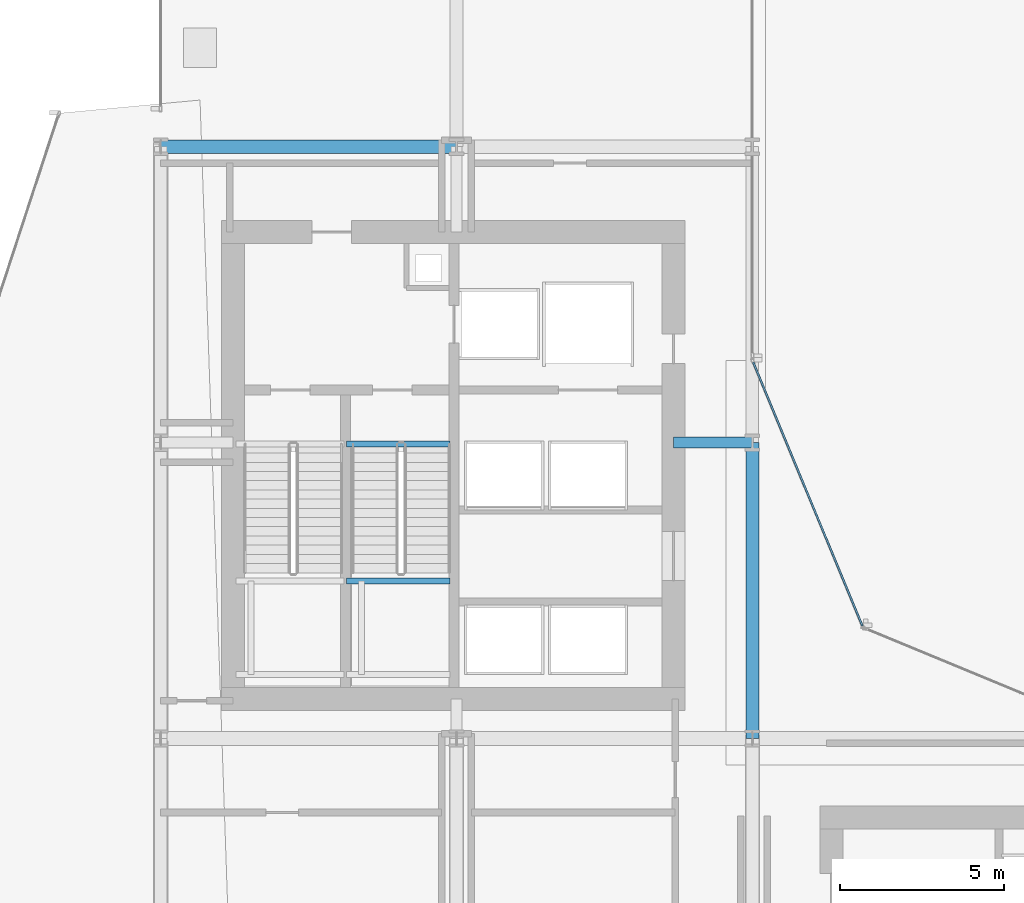
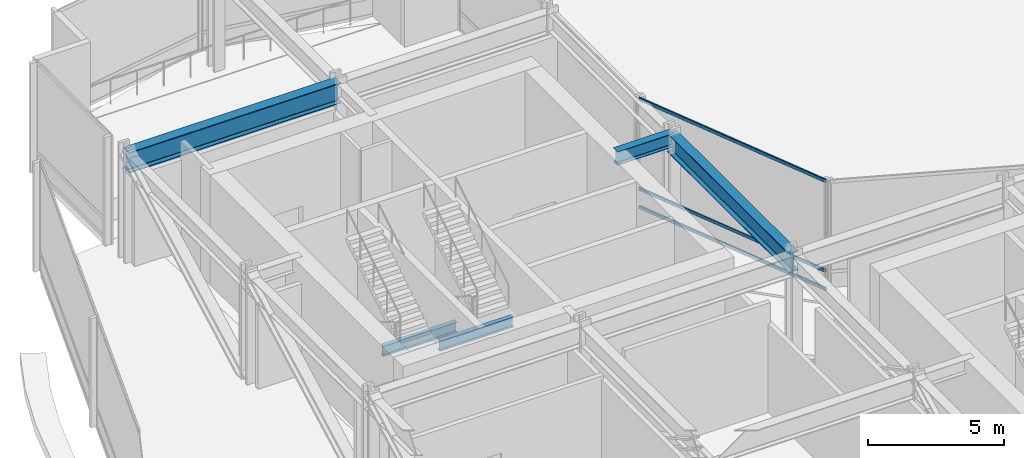
# One storey, part 18 of 37: 5 beams, 3 members, 1 element without a shape of its own.
"""IFC4 building model written with IfcOpenShell, lengths in metres."""

from ifc_helpers import new_model, si_unit, direction, frame, origin, origin_2d, place, context, subcontext, project, spatial, hollow_rectangle, i_section, extrude, material, layer, layer_set, material_profile, profile_set, type_object, element, aggregate, save


model = new_model("IFC4")

# Units and contexts
model_context = context("Model", 3, precision=1e-05, world=origin(), true_north=direction((0.0, 1.0)))
body_context = subcontext(model_context, "Body", "Model", "MODEL_VIEW")
ifc_project = project(units=[si_unit("LENGTHUNIT", "METRE"), si_unit("AREAUNIT", "SQUARE_METRE"), si_unit("VOLUMEUNIT", "CUBIC_METRE"), si_unit("PLANEANGLEUNIT", "RADIAN"), si_unit("MASSUNIT", "GRAM", prefix="KILO")], contexts=[model_context])

# Site, building, storey
site_placement = place(None, origin())
site = spatial("IfcSite", under=ifc_project, at=site_placement, CompositionType="ELEMENT")
building_placement = place(site_placement, origin())
building = spatial("IfcBuilding", under=site, at=building_placement, Name="Solvaryn Broadcast Tower", CompositionType="ELEMENT")
storey_placement = place(building_placement, frame((0.0, 0.0, 30.800048828125)))
storey = spatial("IfcBuildingStorey", under=building, at=storey_placement, Name="L06", CompositionType="ELEMENT", Elevation=30.800048828125)

# Beams
ifc_material_1 = material(Name="Steel ASTM A992 Grade 50", Category="steel")
ifc_material_profile_1 = material_profile(ifc_material_1, i_section(OverallWidth=0.323974609375, OverallDepth=0.611083984375, WebThickness=0.0126953125, FlangeThickness=0.01904296875, FilletRadius=0.014892578125, at=origin_2d()))
ifc_profile_set_1 = profile_set([ifc_material_profile_1], Name="Steel ASTM A992 Grade 50")
beam_type_1 = type_object("IfcBeamType", Name="BM-B1-W24X104", PredefinedType="BEAM", material=ifc_profile_set_1)
beam_1_placement = place(storey_placement, frame((24.60009765625, 36.0, 4.614501953125), z_axis=(1.0, 0.0, 0.0), x_axis=(0.0, 1.0, 0.0)))
element("IfcBeam", 1, at=beam_1_placement, inside=storey, type_object=beam_type_1, Name="L06 Core Tie Beam CTW2", PredefinedType="BEAM", context=body_context, shape_type="SweptSolid", body=[
    extrude(i_section(OverallWidth=0.323974609375, OverallDepth=0.611083984375, WebThickness=0.0126953125, FlangeThickness=0.01904296875, FilletRadius=0.014892578125, at=origin_2d()), origin(), (0.0, 0.0, 1.0), 2.39990234375),
])
ifc_material_2 = material(Name="Steel ASTM A992 Grade 50", Category="steel")
ifc_material_profile_2 = material_profile(ifc_material_2, i_section(OverallWidth=0.18994140625, OverallDepth=0.45703125, WebThickness=0.009033203125, FlangeThickness=0.014404296875, FilletRadius=0.011962890625, at=origin_2d()))
ifc_profile_set_2 = profile_set([ifc_material_profile_2], Name="Steel ASTM A992 Grade 50")
beam_type_2 = type_object("IfcBeamType", Name="BM-B4-W18X50", PredefinedType="BEAM", material=ifc_profile_set_2)
for number, where, z_axis, x_axis, name in (
    (2, (14.659912109375, 35.9599609375, -0.588623046875), (1.0, 0.0, 0.0), (0.0, 1.0, 0.0), "L06 ST2 Stair Well Trimmer Beam"),
    (3, (14.659912109375, 31.7900390625, 2.17138671875), (1.0, 0.0, 0.0), (0.0, 1.0, 0.0), "L06 ST2 Landing Support Beam 1B"),
):
    element("IfcBeam", number, at=place(storey_placement, frame(where, z_axis=z_axis, x_axis=x_axis)), inside=storey, type_object=beam_type_2, Name=name, PredefinedType="BEAM", context=body_context, shape_type="SweptSolid", body=[
        extrude(i_section(OverallWidth=0.18994140625, OverallDepth=0.45703125, WebThickness=0.009033203125, FlangeThickness=0.014404296875, FilletRadius=0.011962890625, at=origin_2d()), origin(), (0.0, 0.0, 1.0), 3.14013671875),
    ])
ifc_material_3 = material(Name="Steel ASTM A992 Grade 50", Category="steel")
ifc_material_profile_3 = material_profile(ifc_material_3, i_section(OverallWidth=0.41796875, OverallDepth=0.927001953125, WebThickness=0.019287109375, FlangeThickness=0.031982421875, FilletRadius=0.02392578125, at=origin_2d()))
ifc_profile_set_3 = profile_set([ifc_material_profile_3], Name="Steel ASTM A992 Grade 50")
beam_type_3 = type_object("IfcBeamType", Name="BM-G2-W36X231", PredefinedType="BEAM", material=ifc_profile_set_3)
beam_2_placement = place(storey_placement, frame((9.0, 45.0, 4.45654296875), z_axis=(1.0, 0.0, 0.0), x_axis=(0.0, 1.0, 0.0)))
element("IfcBeam", 4, at=beam_2_placement, inside=storey, type_object=beam_type_3, Name="L06 Primary Beam X (9-18 @ Y=45)", PredefinedType="BEAM", context=body_context, shape_type="SweptSolid", body=[
    extrude(i_section(OverallWidth=0.41796875, OverallDepth=0.927001953125, WebThickness=0.019287109375, FlangeThickness=0.031982421875, FilletRadius=0.02392578125, at=origin_2d()), origin(), (0.0, 0.0, 1.0), 9.0),
])
ifc_material_4 = material(Name="Steel ASTM A992 Grade 50", Category="steel")
ifc_material_profile_4 = material_profile(ifc_material_4, i_section(OverallWidth=0.39990234375, OverallDepth=0.85498046875, WebThickness=0.018310546875, FlangeThickness=0.029296875, FilletRadius=0.02001953125, at=origin_2d()))
ifc_profile_set_4 = profile_set([ifc_material_profile_4], Name="Steel ASTM A992 Grade 50")
beam_type_4 = type_object("IfcBeamType", Name="BM-G3-W33X201", PredefinedType="BEAM", material=ifc_profile_set_4)
beam_3_placement = place(storey_placement, frame((27.0, 27.0, 4.492431640625), z_axis=(0.0, 1.0, 0.0), x_axis=(-1.0, 0.0, 0.0)))
element("IfcBeam", 5, at=beam_3_placement, inside=storey, type_object=beam_type_4, Name="L06 Primary Beam Y (27-36 @ X=27)", PredefinedType="BEAM", context=body_context, shape_type="SweptSolid", body=[
    extrude(i_section(OverallWidth=0.39990234375, OverallDepth=0.85498046875, WebThickness=0.018310546875, FlangeThickness=0.029296875, FilletRadius=0.02001953125, at=origin_2d()), origin(), (0.0, 0.0, 1.0), 9.0),
])

# Curtain wall, members
ifc_material_5 = material(Name="Aluminium and Terracotta Unitised Curtain Wall", Category="masonry")
ifc_layer = layer(ifc_material_5, 0.199951171875)
ifc_layer_set = layer_set([ifc_layer], Name="CW-SYS2-LOWMID")
curtain_wall_type = type_object("IfcCurtainWallType", Name="CW-SYS2-LOWMID", PredefinedType="NOTDEFINED", material=ifc_layer_set)
curtain_wall_placement = place(storey_placement, origin())
curtain_wall = element("IfcCurtainWall", 6, at=curtain_wall_placement, inside=storey, type_object=curtain_wall_type, Name="L06 Curtain Wall CN2", PredefinedType="NOTDEFINED")
ifc_material_6 = material(Name="Anodised Aluminium 6063-T6", Category="aluminium")
ifc_material_profile_5 = material_profile(ifc_material_6, hollow_rectangle(XDim=0.06494140625, YDim=0.14990234375, WallThickness=0.00390625, InnerFilletRadius=0.00390625, OuterFilletRadius=0.008056640625, at=origin_2d()))
ifc_profile_set_5 = profile_set([ifc_material_profile_5], Name="Anodised Aluminium 6063-T6")
member_type = type_object("IfcMemberType", Name="CW-TRN-150", PredefinedType="USERDEFINED", material=ifc_profile_set_5)
member_1_placement = place(storey_placement, frame((30.344970703125, 30.42333984375, 0.030029296875), z_axis=(-0.382635748975, 0.923899282177, 0.0), x_axis=(-0.923899282177, -0.382635748975, 0.0)))
member_1 = element("IfcMember", 7, at=member_1_placement, type_object=member_type, Name="CWS2 transom 1.1", ObjectType="TRANSOM", PredefinedType="USERDEFINED", context=body_context, shape_type="SweptSolid", body=[
    extrude(hollow_rectangle(XDim=0.06494140625, YDim=0.14990234375, WallThickness=0.00390625, InnerFilletRadius=0.00390625, OuterFilletRadius=0.008056640625, at=origin_2d()), origin(), (0.0, 0.0, 1.0), 8.681884765625),
])
member_2_placement = place(storey_placement, frame((30.344970703125, 30.42333984375, 0.849853515625), z_axis=(-0.382635748975, 0.923899282177, 0.0), x_axis=(-0.923899282177, -0.382635748975, 0.0)))
member_2 = element("IfcMember", 8, at=member_2_placement, type_object=member_type, Name="CWS2 transom 1.2", ObjectType="TRANSOM", PredefinedType="USERDEFINED", context=body_context, shape_type="SweptSolid", body=[
    extrude(hollow_rectangle(XDim=0.06494140625, YDim=0.14990234375, WallThickness=0.00390625, InnerFilletRadius=0.00390625, OuterFilletRadius=0.008056640625, at=origin_2d()), origin(), (0.0, 0.0, 1.0), 8.681884765625),
])
member_3_placement = place(storey_placement, frame((30.344970703125, 30.42333984375, 4.889892578125), z_axis=(-0.382635748975, 0.923899282177, 0.0), x_axis=(-0.923899282177, -0.382635748975, 0.0)))
member_3 = element("IfcMember", 9, at=member_3_placement, type_object=member_type, Name="CWS2 transom 1.3", ObjectType="TRANSOM", PredefinedType="USERDEFINED", context=body_context, shape_type="SweptSolid", body=[
    extrude(hollow_rectangle(XDim=0.06494140625, YDim=0.14990234375, WallThickness=0.00390625, InnerFilletRadius=0.00390625, OuterFilletRadius=0.008056640625, at=origin_2d()), origin(), (0.0, 0.0, 1.0), 8.681884765625),
])
aggregate(curtain_wall, [member_1, member_2, member_3])

save(model, "model.ifc")
